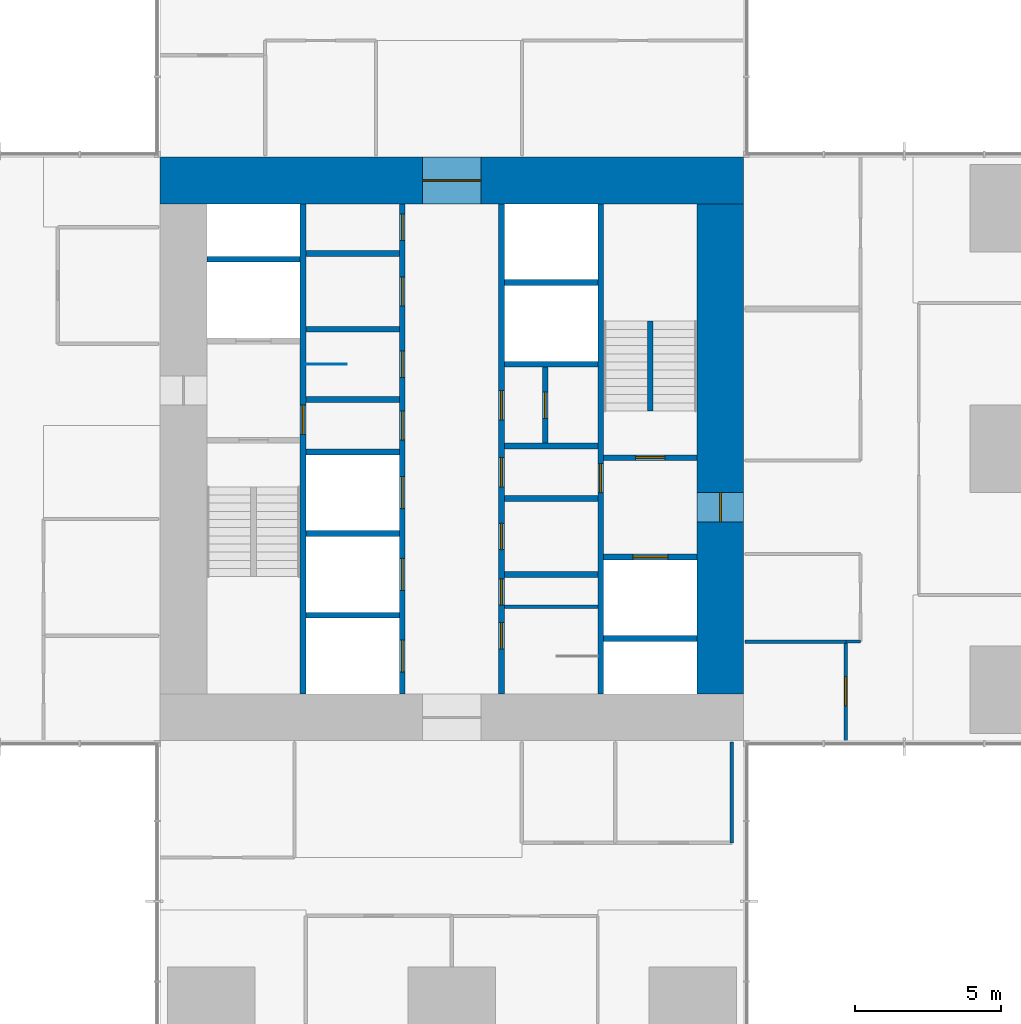
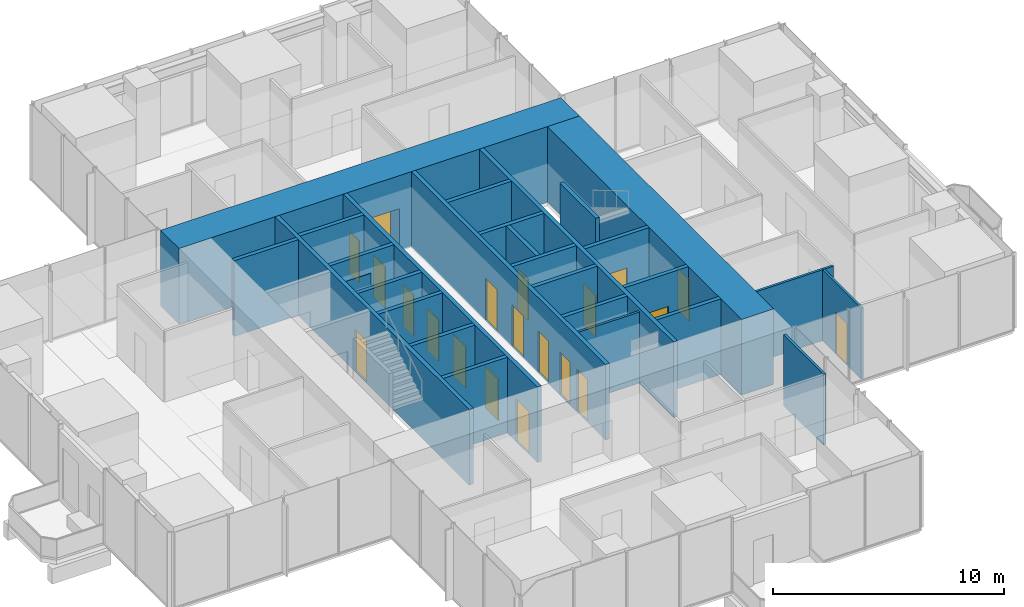
# One storey, part 9 of 13: 29 walls, 20 doors, 20 openings.
"""IFC4 building model written with IfcOpenShell, lengths in metres."""

import ifcopenshell
import ifcopenshell.guid

model = None  # the IFC model being written
_history = None  # IfcOwnerHistory: only IFC2X3 demands one
_inside = {}  # id of a spatial element -> (the spatial element, [elements in it])
_under = {}  # id of a project, library or spatial element -> (it, [spatial elements below it])
_declared = {}  # id of a project -> (the project, [libraries it declares])
_typed = {}  # id of a type object -> (the type object, [elements of that type])
_made_of = {}  # id of a material, layer set ... -> (it, [elements and type objects made of it])


def new_model(schema):
    """Start an empty IFC model of exactly this schema.

    Asked for "IFC4X3", IfcOpenShell would pick the latest addendum, in which some entities
    have other attributes; the version numbers below select the first issue.
    IFC2X3 requires an IfcOwnerHistory on every rooted entity: one is made here for all.
    """
    global model, _history
    if schema == "IFC4X3":
        model = ifcopenshell.file(schema_version=(4, 3, 0, 0))
    else:
        model = ifcopenshell.file(schema=schema)
    _inside.clear()
    _under.clear()
    _declared.clear()
    _typed.clear()
    _made_of.clear()
    _history = None
    if model.schema == "IFC2X3":
        org = make("IfcOrganization", Name="unknown")
        user = make(
            "IfcPersonAndOrganization",
            ThePerson=make("IfcPerson", FamilyName="unknown"),
            TheOrganization=org,
        )
        app = make(
            "IfcApplication",
            ApplicationDeveloper=org,
            Version="unknown",
            ApplicationFullName="unknown",
            ApplicationIdentifier="unknown",
        )
        _history = make(
            "IfcOwnerHistory",
            OwningUser=user,
            OwningApplication=app,
            ChangeAction="ADDED",
            CreationDate=0,
        )
    return model


def make(cls, **values):
    """One entity of the class cls with the attributes given. An attribute that is None is left unset."""
    return model.create_entity(
        cls, **{name: value for name, value in values.items() if value is not None}
    )


def rooted(cls, **values):
    """An entity with a GlobalId (a new one), such as an element, a storey or a relation."""
    return make(cls, GlobalId=ifcopenshell.guid.new(), OwnerHistory=_history, **values)


def si_unit(unit_type, name, prefix=None):
    """IfcSIUnit, for example si_unit("LENGTHUNIT", "METRE", prefix="MILLI")."""
    return make("IfcSIUnit", UnitType=unit_type, Prefix=prefix, Name=name)


def assignment(units):
    """IfcUnitAssignment: the units of a project."""
    return None if units is None else make("IfcUnitAssignment", Units=units)


def point(xyz):
    """IfcCartesianPoint."""
    return None if xyz is None else make("IfcCartesianPoint", Coordinates=xyz)


def direction(xyz):
    """IfcDirection."""
    return None if xyz is None else make("IfcDirection", DirectionRatios=xyz)


def frame(location, z_axis=None, x_axis=None):
    """IfcAxis2Placement3D, a coordinate frame: its origin and axes. An axis left out is left unset."""
    return make(
        "IfcAxis2Placement3D",
        Location=point(location),
        Axis=direction(z_axis),
        RefDirection=direction(x_axis),
    )


def frame_2d(location, x_axis=None):
    """IfcAxis2Placement2D, a coordinate frame in the plane: its origin and x axis."""
    return make(
        "IfcAxis2Placement2D", Location=point(location), RefDirection=direction(x_axis)
    )


def origin():
    """The frame at (0, 0, 0) with its axes left unset."""
    return frame((0.0, 0.0, 0.0))


def place(relative_to, where):
    """IfcLocalPlacement: puts the frame where relative to a parent placement (None: the world)."""
    return make(
        "IfcLocalPlacement", PlacementRelTo=relative_to, RelativePlacement=where
    )


def context(
    kind, dimensions, precision=None, world=None, true_north=None, identifier=None
):
    """IfcGeometricRepresentationContext, for example the 3D "Model" context."""
    return make(
        "IfcGeometricRepresentationContext",
        ContextIdentifier=identifier,
        ContextType=kind,
        CoordinateSpaceDimension=dimensions,
        Precision=precision,
        WorldCoordinateSystem=world,
        TrueNorth=true_north,
    )


def subcontext(parent, identifier, kind, view, scale=None):
    """IfcGeometricRepresentationSubContext, for example "Body" below "Model"."""
    return make(
        "IfcGeometricRepresentationSubContext",
        ContextIdentifier=identifier,
        ContextType=kind,
        ParentContext=parent,
        TargetScale=scale,
        TargetView=view,
    )


def project(units=None, contexts=None):
    """IfcProject with its units and contexts."""
    return rooted(
        "IfcProject",
        Name="project",
        RepresentationContexts=contexts,
        UnitsInContext=assignment(units),
    )


def spatial(cls, under=None, at=None, **own):
    """A site, building, storey or space (cls), placed at a placement, below another one or the project."""
    s = rooted(cls, ObjectPlacement=at, **own)
    if under is not None:
        _under.setdefault(under.id(), (under, []))[1].append(s)
    return s


def profile(cls, at=None, kind="AREA", **sizes):
    """A parametric profile (cls). Its sizes go by their IFC names, for example OverallWidth=200.0."""
    return make(cls, ProfileType=kind, Position=at, **sizes)


def rectangle(**sizes):
    """IfcRectangleProfileDef."""
    return profile("IfcRectangleProfileDef", **sizes)


def extrude(swept, where, along, depth):
    """IfcExtrudedAreaSolid: the profile swept, set in the frame where, extruded along a direction by depth."""
    return make(
        "IfcExtrudedAreaSolid",
        SweptArea=swept,
        Position=where,
        ExtrudedDirection=direction(along),
        Depth=depth,
    )


def shape(context_of_items, identifier, shape_type, items):
    """IfcShapeRepresentation: the items that make up one representation, for example the "Body"."""
    return make(
        "IfcShapeRepresentation",
        ContextOfItems=context_of_items,
        RepresentationIdentifier=identifier,
        RepresentationType=shape_type,
        Items=items,
    )


def material(Name=None, Category=None):
    """IfcMaterial."""
    return make("IfcMaterial", Name=Name, Category=Category)


def layer(
    of_material, thickness, ventilated=None, Name=None, Category=None, Priority=None
):
    """IfcMaterialLayer: one layer of a wall or slab, of a material (None: an air gap)."""
    return make(
        "IfcMaterialLayer",
        Material=of_material,
        LayerThickness=thickness,
        IsVentilated=ventilated,
        Name=Name,
        Category=Category,
        Priority=Priority,
    )


def layer_set(layers, Name=None):
    """IfcMaterialLayerSet."""
    return make("IfcMaterialLayerSet", MaterialLayers=layers, LayerSetName=Name)


def made_of(thing, what):
    """Note that an element or type object is made of a material, layer set ...; save() writes the relation."""
    if what is not None:
        _made_of.setdefault(what.id(), (what, []))[1].append(thing)
    return thing


def type_object(cls, material=None, **own):
    """A type object (cls), such as IfcWallType, which elements share."""
    return made_of(rooted(cls, **own), material)


def element(
    cls,
    number,
    at=None,
    inside=None,
    cuts=None,
    type_object=None,
    material=None,
    context=None,
    identifier="Body",
    shape_type=None,
    held_by="IfcProductDefinitionShape",
    body=None,
    shapes=None,
    **own,
):
    """One element of the class cls, such as IfcWall. Its Tag is "e" and its number.

    at: its placement. inside: the storey or other place that contains it. cuts: it is an
    opening in that element (IfcRelVoidsElement). A single representation is given by context,
    identifier, shape_type and body (its items); several are given by shapes. held_by: the class
    of the entity that holds the representations. save() writes the other relations.
    """
    e = rooted(cls, Tag="e%d" % number, ObjectPlacement=at, **own)
    if body is not None:
        shapes = [shape(context, identifier, shape_type, body)]
    if shapes is not None:
        e.Representation = make(held_by, Representations=shapes)
    if inside is not None:
        _inside.setdefault(inside.id(), (inside, []))[1].append(e)
    if cuts is not None:
        rooted(
            "IfcRelVoidsElement", RelatingBuildingElement=cuts, RelatedOpeningElement=e
        )
    if type_object is not None:
        _typed.setdefault(type_object.id(), (type_object, []))[1].append(e)
    return made_of(e, material)


def fill(opening, filler):
    """IfcRelFillsElement: the door or window that sits in an opening."""
    return rooted(
        "IfcRelFillsElement",
        RelatingOpeningElement=opening,
        RelatedBuildingElement=filler,
    )


def aggregate(whole, parts):
    """IfcRelAggregates: a whole, such as a stair, and the parts it consists of."""
    return rooted("IfcRelAggregates", RelatingObject=whole, RelatedObjects=parts)


def save(model, path):
    """Write the relations noted so far, then the file.

    IfcRelAggregates (storeys below a building ...), IfcRelContainedInSpatialStructure (elements
    in a storey), IfcRelDefinesByType, IfcRelAssociatesMaterial and IfcRelDeclares: one each for
    every whole, place, type object, material and project.
    """
    for whole, parts in _under.values():
        aggregate(whole, parts)
    for where, things in _inside.values():
        rooted(
            "IfcRelContainedInSpatialStructure",
            RelatedElements=things,
            RelatingStructure=where,
        )
    for kind, things in _typed.values():
        rooted("IfcRelDefinesByType", RelatedObjects=things, RelatingType=kind)
    for what, things in _made_of.values():
        rooted("IfcRelAssociatesMaterial", RelatedObjects=things, RelatingMaterial=what)
    for by, libraries in _declared.values():
        rooted("IfcRelDeclares", RelatingContext=by, RelatedDefinitions=libraries)
    model.write(path)


model = new_model("IFC4")

# Units and contexts
model_context = context("Model", 3, precision=1e-05, world=origin(), true_north=direction((0.0, 1.0)))
body_context = subcontext(model_context, "Body", "Model", "MODEL_VIEW")
ifc_project = project(units=[si_unit("LENGTHUNIT", "METRE"), si_unit("AREAUNIT", "SQUARE_METRE"), si_unit("VOLUMEUNIT", "CUBIC_METRE"), si_unit("PLANEANGLEUNIT", "RADIAN"), si_unit("MASSUNIT", "GRAM", prefix="KILO")], contexts=[model_context])

# Site, building, storey
site_placement = place(None, origin())
site = spatial("IfcSite", under=ifc_project, at=site_placement, CompositionType="ELEMENT")
building_placement = place(site_placement, origin())
building = spatial("IfcBuilding", under=site, at=building_placement, Name="Svetlomir Tower", CompositionType="ELEMENT")
storey_placement = place(building_placement, frame((0.0, 0.0, 120.5)))
storey = spatial("IfcBuildingStorey", under=building, at=storey_placement, Name="L28", CompositionType="ELEMENT", Elevation=120.5)

# Wall, opening, door
ifc_material_1 = material(Name="Concrete C60/75", Category="concrete")
ifc_layer_1 = layer(ifc_material_1, 0.199951171875)
ifc_layer_set_1 = layer_set([ifc_layer_1], Name="Concrete C60/75")
wall_type_1 = type_object("IfcWallType", Name="CORE INNER WALL 200", PredefinedType="SHEAR", material=ifc_layer_set_1)
wall_1_placement = place(storey_placement, frame((15.89990234375, 12.60009765625, -0.050048828125), z_axis=(0.0, 0.0, 1.0), x_axis=(0.0, 1.0, 0.0)))
wall_1 = element("IfcWall", 1, at=wall_1_placement, inside=storey, type_object=wall_type_1, Name="Core inner wall 15.9 L28", PredefinedType="SHEAR", context=body_context, shape_type="SweptSolid", body=[
    extrude(rectangle(XDim=16.7998046875, YDim=0.199951171875, at=frame_2d((8.39990234375, 0.0))), origin(), (0.0, 0.0, 1.0), 4.0),
])
opening_1_placement = place(wall_1_placement, frame((8.89990234375, 0.0, 0.050048828125)))
opening_1 = element("IfcOpeningElement", 2, at=opening_1_placement, cuts=wall_1, Name="Opening DF", PredefinedType="OPENING", context=body_context, shape_type="SweptSolid", body=[
    extrude(rectangle(XDim=1.0, YDim=2.199951171875, at=frame_2d((0.5, 1.10009765625))), frame((0.0, 0.10986328125, 0.0), z_axis=(0.0, -1.0, 0.0), x_axis=(1.0, 0.0, 0.0)), (0.0, 0.0, 1.0), 0.219970703125),
])
ifc_material_2 = material(Name="Steel fire door", Category="steel")
door_type_1 = type_object("IfcDoorType", Name="DOOR DF 1000x2200", OperationType="SINGLE_SWING_LEFT", PredefinedType="DOOR", material=ifc_material_2)
door_1_placement = place(opening_1_placement, origin())
door_1 = element("IfcDoor", 3, at=door_1_placement, inside=storey, type_object=door_type_1, Name="Core corridor west door L28", OperationType="SINGLE_SWING_LEFT", OverallHeight=2.199951171875, OverallWidth=1.0, PredefinedType="DOOR", context=body_context, shape_type="SweptSolid", body=[
    extrude(rectangle(XDim=1.0, YDim=2.199951171875, at=frame_2d((0.5, 1.10009765625))), frame((0.0, 0.02490234375, 0.0), z_axis=(0.0, -1.0, 0.0), x_axis=(1.0, 0.0, 0.0)), (0.0, 0.0, 1.0), 0.050048828125),
])
fill(opening_1, door_1)

# Wall, openings, doors
wall_2_placement = place(storey_placement, frame((19.300048828125, 12.60009765625, -0.050048828125), z_axis=(0.0, 0.0, 1.0), x_axis=(0.0, 1.0, 0.0)))
wall_2 = element("IfcWall", 4, at=wall_2_placement, inside=storey, type_object=wall_type_1, Name="Core inner wall 19.3 L28", PredefinedType="SHEAR", context=body_context, shape_type="SweptSolid", body=[
    extrude(rectangle(XDim=16.7998046875, YDim=0.199951171875, at=frame_2d((8.39990234375, 0.0))), origin(), (0.0, 0.0, 1.0), 4.0),
])
opening_2_placement = place(wall_2_placement, frame((8.699951171875, 0.0, 0.050048828125)))
opening_2 = element("IfcOpeningElement", 5, at=opening_2_placement, cuts=wall_2, Name="Opening DC", PredefinedType="OPENING", context=body_context, shape_type="SweptSolid", body=[
    extrude(rectangle(XDim=1.0, YDim=2.199951171875, at=frame_2d((0.5, 1.10009765625))), frame((0.0, 0.10986328125, 0.0), z_axis=(0.0, -1.0, 0.0), x_axis=(1.0, 0.0, 0.0)), (0.0, 0.0, 1.0), 0.219970703125),
])
opening_3_placement = place(wall_2_placement, frame((10.85009765625, 0.0, 0.050048828125)))
opening_3 = element("IfcOpeningElement", 6, at=opening_3_placement, cuts=wall_2, Name="Opening DW", PredefinedType="OPENING", context=body_context, shape_type="SweptSolid", body=[
    extrude(rectangle(XDim=0.89990234375, YDim=2.199951171875, at=frame_2d((0.449951171875, 1.10009765625))), frame((0.0, 0.10986328125, 0.0), z_axis=(0.0, -1.0, 0.0), x_axis=(1.0, 0.0, 0.0)), (0.0, 0.0, 1.0), 0.219970703125),
])
opening_4_placement = place(wall_2_placement, frame((13.300048828125, 0.0, 0.050048828125)))
opening_4 = element("IfcOpeningElement", 7, at=opening_4_placement, cuts=wall_2, Name="Opening DC", PredefinedType="OPENING", context=body_context, shape_type="SweptSolid", body=[
    extrude(rectangle(XDim=1.0, YDim=2.199951171875, at=frame_2d((0.5, 1.10009765625))), frame((0.0, 0.10986328125, 0.0), z_axis=(0.0, -1.0, 0.0), x_axis=(1.0, 0.0, 0.0)), (0.0, 0.0, 1.0), 0.219970703125),
])
opening_5_placement = place(wall_2_placement, frame((15.550048828125, 0.0, 0.050048828125)))
opening_5 = element("IfcOpeningElement", 8, at=opening_5_placement, cuts=wall_2, Name="Opening DW", PredefinedType="OPENING", context=body_context, shape_type="SweptSolid", body=[
    extrude(rectangle(XDim=0.89990234375, YDim=2.199951171875, at=frame_2d((0.449951171875, 1.10009765625))), frame((0.0, 0.10986328125, 0.0), z_axis=(0.0, -1.0, 0.0), x_axis=(1.0, 0.0, 0.0)), (0.0, 0.0, 1.0), 0.219970703125),
])
opening_6_placement = place(wall_2_placement, frame((0.75, 0.0, 0.050048828125)))
opening_6 = element("IfcOpeningElement", 9, at=opening_6_placement, cuts=wall_2, Name="Opening LD", PredefinedType="OPENING", context=body_context, shape_type="SweptSolid", body=[
    extrude(rectangle(XDim=1.10009765625, YDim=2.199951171875, at=frame_2d((0.550048828125, 1.10009765625))), frame((0.0, 0.10986328125, 0.0), z_axis=(0.0, -1.0, 0.0), x_axis=(1.0, 0.0, 0.0)), (0.0, 0.0, 1.0), 0.219970703125),
])
opening_7_placement = place(wall_2_placement, frame((3.550048828125, 0.0, 0.050048828125)))
opening_7 = element("IfcOpeningElement", 10, at=opening_7_placement, cuts=wall_2, Name="Opening LD", PredefinedType="OPENING", context=body_context, shape_type="SweptSolid", body=[
    extrude(rectangle(XDim=1.10009765625, YDim=2.199951171875, at=frame_2d((0.550048828125, 1.10009765625))), frame((0.0, 0.10986328125, 0.0), z_axis=(0.0, -1.0, 0.0), x_axis=(1.0, 0.0, 0.0)), (0.0, 0.0, 1.0), 0.219970703125),
])
opening_8_placement = place(wall_2_placement, frame((6.35009765625, 0.0, 0.050048828125)))
opening_8 = element("IfcOpeningElement", 11, at=opening_8_placement, cuts=wall_2, Name="Opening LD", PredefinedType="OPENING", context=body_context, shape_type="SweptSolid", body=[
    extrude(rectangle(XDim=1.10009765625, YDim=2.199951171875, at=frame_2d((0.550048828125, 1.10009765625))), frame((0.0, 0.10986328125, 0.0), z_axis=(0.0, -1.0, 0.0), x_axis=(1.0, 0.0, 0.0)), (0.0, 0.0, 1.0), 0.219970703125),
])
ifc_material_3 = material(Name="Timber fire door", Category="wood")
door_type_2 = type_object("IfcDoorType", Name="DOOR DC 1000x2200", OperationType="SINGLE_SWING_LEFT", PredefinedType="DOOR", material=ifc_material_3)
door_2_placement = place(opening_2_placement, origin())
door_2 = element("IfcDoor", 12, at=door_2_placement, inside=storey, type_object=door_type_2, Name="Core corridor west lobby door L28", OperationType="SINGLE_SWING_RIGHT", OverallHeight=2.199951171875, OverallWidth=1.0, PredefinedType="DOOR", context=body_context, shape_type="SweptSolid", body=[
    extrude(rectangle(XDim=1.0, YDim=2.199951171875, at=frame_2d((0.5, 1.10009765625))), frame((0.0, 0.02490234375, 0.0), z_axis=(0.0, -1.0, 0.0), x_axis=(1.0, 0.0, 0.0)), (0.0, 0.0, 1.0), 0.050048828125),
])
fill(opening_2, door_2)
door_3_placement = place(opening_4_placement, origin())
door_3 = element("IfcDoor", 13, at=door_3_placement, inside=storey, type_object=door_type_2, Name="Accessible WC door L28", OperationType="SINGLE_SWING_LEFT", OverallHeight=2.199951171875, OverallWidth=1.0, PredefinedType="DOOR", context=body_context, shape_type="SweptSolid", body=[
    extrude(rectangle(XDim=1.0, YDim=2.199951171875, at=frame_2d((0.5, 1.10009765625))), frame((0.0, 0.02490234375, 0.0), z_axis=(0.0, -1.0, 0.0), x_axis=(1.0, 0.0, 0.0)), (0.0, 0.0, 1.0), 0.050048828125),
])
fill(opening_4, door_3)
ifc_material_4 = material(Name="Timber fire door", Category="wood")
door_type_3 = type_object("IfcDoorType", Name="DOOR DW 900x2200", OperationType="SINGLE_SWING_LEFT", PredefinedType="DOOR", material=ifc_material_4)
door_4_placement = place(opening_3_placement, origin())
door_4 = element("IfcDoor", 14, at=door_4_placement, inside=storey, type_object=door_type_3, Name="Female WC door L28", OperationType="SINGLE_SWING_RIGHT", OverallHeight=2.199951171875, OverallWidth=0.89990234375, PredefinedType="DOOR", context=body_context, shape_type="SweptSolid", body=[
    extrude(rectangle(XDim=0.89990234375, YDim=2.199951171875, at=frame_2d((0.449951171875, 1.10009765625))), frame((0.0, 0.02490234375, 0.0), z_axis=(0.0, -1.0, 0.0), x_axis=(1.0, 0.0, 0.0)), (0.0, 0.0, 1.0), 0.050048828125),
])
fill(opening_3, door_4)
door_5_placement = place(opening_5_placement, origin())
door_5 = element("IfcDoor", 15, at=door_5_placement, inside=storey, type_object=door_type_3, Name="Cleaner's store door L28", OperationType="SINGLE_SWING_RIGHT", OverallHeight=2.199951171875, OverallWidth=0.89990234375, PredefinedType="DOOR", context=body_context, shape_type="SweptSolid", body=[
    extrude(rectangle(XDim=0.89990234375, YDim=2.199951171875, at=frame_2d((0.449951171875, 1.10009765625))), frame((0.0, 0.02490234375, 0.0), z_axis=(0.0, -1.0, 0.0), x_axis=(1.0, 0.0, 0.0)), (0.0, 0.0, 1.0), 0.050048828125),
])
fill(opening_5, door_5)
ifc_material_5 = material(Name="Stainless steel landing door", Category="steel")
door_type_4 = type_object("IfcDoorType", Name="LIFT LANDING DOOR LD 1100x2200", OperationType="DOUBLE_DOOR_SLIDING", PredefinedType="DOOR", material=ifc_material_5)
door_6_placement = place(opening_6_placement, origin())
door_6 = element("IfcDoor", 16, at=door_6_placement, inside=storey, type_object=door_type_4, Name="Landing door lift LB1 L28", OperationType="DOUBLE_DOOR_SLIDING", OverallHeight=2.199951171875, OverallWidth=1.10009765625, PredefinedType="DOOR", context=body_context, shape_type="SweptSolid", body=[
    extrude(rectangle(XDim=1.10009765625, YDim=2.199951171875, at=frame_2d((0.550048828125, 1.10009765625))), frame((0.0, 0.02490234375, 0.0), z_axis=(0.0, -1.0, 0.0), x_axis=(1.0, 0.0, 0.0)), (0.0, 0.0, 1.0), 0.050048828125),
])
fill(opening_6, door_6)
door_7_placement = place(opening_7_placement, origin())
door_7 = element("IfcDoor", 17, at=door_7_placement, inside=storey, type_object=door_type_4, Name="Landing door lift LB2 L28", OperationType="DOUBLE_DOOR_SLIDING", OverallHeight=2.199951171875, OverallWidth=1.10009765625, PredefinedType="DOOR", context=body_context, shape_type="SweptSolid", body=[
    extrude(rectangle(XDim=1.10009765625, YDim=2.199951171875, at=frame_2d((0.550048828125, 1.10009765625))), frame((0.0, 0.02490234375, 0.0), z_axis=(0.0, -1.0, 0.0), x_axis=(1.0, 0.0, 0.0)), (0.0, 0.0, 1.0), 0.050048828125),
])
fill(opening_7, door_7)
door_8_placement = place(opening_8_placement, origin())
door_8 = element("IfcDoor", 18, at=door_8_placement, inside=storey, type_object=door_type_4, Name="Landing door lift LB3 L28", OperationType="DOUBLE_DOOR_SLIDING", OverallHeight=2.199951171875, OverallWidth=1.10009765625, PredefinedType="DOOR", context=body_context, shape_type="SweptSolid", body=[
    extrude(rectangle(XDim=1.10009765625, YDim=2.199951171875, at=frame_2d((0.550048828125, 1.10009765625))), frame((0.0, 0.02490234375, 0.0), z_axis=(0.0, -1.0, 0.0), x_axis=(1.0, 0.0, 0.0)), (0.0, 0.0, 1.0), 0.050048828125),
])
fill(opening_8, door_8)

wall_3_placement = place(storey_placement, frame((22.699951171875, 12.60009765625, -0.050048828125), z_axis=(0.0, 0.0, 1.0), x_axis=(0.0, 1.0, 0.0)))
wall_3 = element("IfcWall", 19, at=wall_3_placement, inside=storey, type_object=wall_type_1, Name="Core inner wall 22.7 L28", PredefinedType="SHEAR", context=body_context, shape_type="SweptSolid", body=[
    extrude(rectangle(XDim=16.7998046875, YDim=0.199951171875, at=frame_2d((8.39990234375, 0.0))), origin(), (0.0, 0.0, 1.0), 4.0),
])
opening_9_placement = place(wall_3_placement, frame((3.050048828125, 0.0, 0.050048828125)))
opening_9 = element("IfcOpeningElement", 20, at=opening_9_placement, cuts=wall_3, Name="Opening DW", PredefinedType="OPENING", context=body_context, shape_type="SweptSolid", body=[
    extrude(rectangle(XDim=0.89990234375, YDim=2.199951171875, at=frame_2d((0.449951171875, 1.10009765625))), frame((0.0, 0.10986328125, 0.0), z_axis=(0.0, -1.0, 0.0), x_axis=(1.0, 0.0, 0.0)), (0.0, 0.0, 1.0), 0.219970703125),
])
opening_10_placement = place(wall_3_placement, frame((7.10009765625, 0.0, 0.050048828125)))
opening_10 = element("IfcOpeningElement", 21, at=opening_10_placement, cuts=wall_3, Name="Opening DC", PredefinedType="OPENING", context=body_context, shape_type="SweptSolid", body=[
    extrude(rectangle(XDim=1.0, YDim=2.199951171875, at=frame_2d((0.5, 1.10009765625))), frame((0.0, 0.10986328125, 0.0), z_axis=(0.0, -1.0, 0.0), x_axis=(1.0, 0.0, 0.0)), (0.0, 0.0, 1.0), 0.219970703125),
])
opening_11_placement = place(wall_3_placement, frame((1.550048828125, 0.0, 0.050048828125)))
opening_11 = element("IfcOpeningElement", 22, at=opening_11_placement, cuts=wall_3, Name="Opening DW", PredefinedType="OPENING", context=body_context, shape_type="SweptSolid", body=[
    extrude(rectangle(XDim=0.89990234375, YDim=2.199951171875, at=frame_2d((0.449951171875, 1.10009765625))), frame((0.0, 0.10986328125, 0.0), z_axis=(0.0, -1.0, 0.0), x_axis=(1.0, 0.0, 0.0)), (0.0, 0.0, 1.0), 0.219970703125),
])
opening_12_placement = place(wall_3_placement, frame((4.949951171875, 0.0, 0.050048828125)))
opening_12 = element("IfcOpeningElement", 23, at=opening_12_placement, cuts=wall_3, Name="Opening DW", PredefinedType="OPENING", context=body_context, shape_type="SweptSolid", body=[
    extrude(rectangle(XDim=0.89990234375, YDim=2.199951171875, at=frame_2d((0.449951171875, 1.10009765625))), frame((0.0, 0.10986328125, 0.0), z_axis=(0.0, -1.0, 0.0), x_axis=(1.0, 0.0, 0.0)), (0.0, 0.0, 1.0), 0.219970703125),
])
opening_13_placement = place(wall_3_placement, frame((9.39990234375, 0.0, 0.050048828125)))
opening_13 = element("IfcOpeningElement", 24, at=opening_13_placement, cuts=wall_3, Name="Opening DC", PredefinedType="OPENING", context=body_context, shape_type="SweptSolid", body=[
    extrude(rectangle(XDim=1.0, YDim=2.199951171875, at=frame_2d((0.5, 1.10009765625))), frame((0.0, 0.10986328125, 0.0), z_axis=(0.0, -1.0, 0.0), x_axis=(1.0, 0.0, 0.0)), (0.0, 0.0, 1.0), 0.219970703125),
])
door_9_placement = place(opening_10_placement, origin())
door_9 = element("IfcDoor", 25, at=door_9_placement, inside=storey, type_object=door_type_2, Name="Core corridor east lobby door L28", OperationType="SINGLE_SWING_LEFT", OverallHeight=2.199951171875, OverallWidth=1.0, PredefinedType="DOOR", context=body_context, shape_type="SweptSolid", body=[
    extrude(rectangle(XDim=1.0, YDim=2.199951171875, at=frame_2d((0.5, 1.10009765625))), frame((0.0, 0.02490234375, 0.0), z_axis=(0.0, -1.0, 0.0), x_axis=(1.0, 0.0, 0.0)), (0.0, 0.0, 1.0), 0.050048828125),
])
fill(opening_10, door_9)
door_10_placement = place(opening_13_placement, origin())
door_10 = element("IfcDoor", 26, at=door_10_placement, inside=storey, type_object=door_type_2, Name="Converted shaft BANK-E1 room door L28", OperationType="SINGLE_SWING_LEFT", OverallHeight=2.199951171875, OverallWidth=1.0, PredefinedType="DOOR", context=body_context, shape_type="SweptSolid", body=[
    extrude(rectangle(XDim=1.0, YDim=2.199951171875, at=frame_2d((0.5, 1.10009765625))), frame((0.0, 0.02490234375, 0.0), z_axis=(0.0, -1.0, 0.0), x_axis=(1.0, 0.0, 0.0)), (0.0, 0.0, 1.0), 0.050048828125),
])
fill(opening_13, door_10)
door_11_placement = place(opening_9_placement, origin())
door_11 = element("IfcDoor", 27, at=door_11_placement, inside=storey, type_object=door_type_3, Name="Shower and changing room door L28", OperationType="SINGLE_SWING_LEFT", OverallHeight=2.199951171875, OverallWidth=0.89990234375, PredefinedType="DOOR", context=body_context, shape_type="SweptSolid", body=[
    extrude(rectangle(XDim=0.89990234375, YDim=2.199951171875, at=frame_2d((0.449951171875, 1.10009765625))), frame((0.0, 0.02490234375, 0.0), z_axis=(0.0, -1.0, 0.0), x_axis=(1.0, 0.0, 0.0)), (0.0, 0.0, 1.0), 0.050048828125),
])
fill(opening_9, door_11)
door_12_placement = place(opening_11_placement, origin())
door_12 = element("IfcDoor", 28, at=door_12_placement, inside=storey, type_object=door_type_3, Name="Male WC door L28", OperationType="SINGLE_SWING_RIGHT", OverallHeight=2.199951171875, OverallWidth=0.89990234375, PredefinedType="DOOR", context=body_context, shape_type="SweptSolid", body=[
    extrude(rectangle(XDim=0.89990234375, YDim=2.199951171875, at=frame_2d((0.449951171875, 1.10009765625))), frame((0.0, 0.02490234375, 0.0), z_axis=(0.0, -1.0, 0.0), x_axis=(1.0, 0.0, 0.0)), (0.0, 0.0, 1.0), 0.050048828125),
])
fill(opening_11, door_12)
door_13_placement = place(opening_12_placement, origin())
door_13 = element("IfcDoor", 29, at=door_13_placement, inside=storey, type_object=door_type_3, Name="Comms room door L28", OperationType="SINGLE_SWING_RIGHT", OverallHeight=2.199951171875, OverallWidth=0.89990234375, PredefinedType="DOOR", context=body_context, shape_type="SweptSolid", body=[
    extrude(rectangle(XDim=0.89990234375, YDim=2.199951171875, at=frame_2d((0.449951171875, 1.10009765625))), frame((0.0, 0.02490234375, 0.0), z_axis=(0.0, -1.0, 0.0), x_axis=(1.0, 0.0, 0.0)), (0.0, 0.0, 1.0), 0.050048828125),
])
fill(opening_12, door_13)

# Wall, opening, door
wall_4_placement = place(storey_placement, frame((26.10009765625, 12.60009765625, -0.050048828125), z_axis=(0.0, 0.0, 1.0), x_axis=(0.0, 1.0, 0.0)))
wall_4 = element("IfcWall", 30, at=wall_4_placement, inside=storey, type_object=wall_type_1, Name="Core inner wall 26.1 L28", PredefinedType="SHEAR", context=body_context, shape_type="SweptSolid", body=[
    extrude(rectangle(XDim=16.7998046875, YDim=0.199951171875, at=frame_2d((8.39990234375, 0.0))), origin(), (0.0, 0.0, 1.0), 4.0),
])
opening_14_placement = place(wall_4_placement, frame((6.89990234375, 0.0, 0.050048828125)))
opening_14 = element("IfcOpeningElement", 31, at=opening_14_placement, cuts=wall_4, Name="Opening DF", PredefinedType="OPENING", context=body_context, shape_type="SweptSolid", body=[
    extrude(rectangle(XDim=1.0, YDim=2.199951171875, at=frame_2d((0.5, 1.10009765625))), frame((0.0, 0.10986328125, 0.0), z_axis=(0.0, -1.0, 0.0), x_axis=(1.0, 0.0, 0.0)), (0.0, 0.0, 1.0), 0.219970703125),
])
door_14_placement = place(opening_14_placement, origin())
door_14 = element("IfcDoor", 32, at=door_14_placement, inside=storey, type_object=door_type_1, Name="Core corridor east door L28", OperationType="SINGLE_SWING_LEFT", OverallHeight=2.199951171875, OverallWidth=1.0, PredefinedType="DOOR", context=body_context, shape_type="SweptSolid", body=[
    extrude(rectangle(XDim=1.0, YDim=2.199951171875, at=frame_2d((0.5, 1.10009765625))), frame((0.0, 0.02490234375, 0.0), z_axis=(0.0, -1.0, 0.0), x_axis=(1.0, 0.0, 0.0)), (0.0, 0.0, 1.0), 0.050048828125),
])
fill(opening_14, door_14)

# Walls
for number, where, z_axis, x_axis, name in (
    (33, (12.60009765625, 27.5, -0.050048828125), (0.0, 0.0, 1.0), (1.0, 0.0, 0.0), "Core inner wall 12.6-15.8/27.5 L28"),
    (34, (16.0, 15.300048828125, -0.050048828125), (0.0, 0.0, 1.0), (1.0, 0.0, 0.0), "Core inner wall 16-19.2/15.3 L28"),
    (35, (16.0, 18.10009765625, -0.050048828125), (0.0, 0.0, 1.0), (1.0, 0.0, 0.0), "Core inner wall 16-19.2/18.1 L28"),
    (36, (16.0, 20.89990234375, -0.050048828125), (0.0, 0.0, 1.0), (1.0, 0.0, 0.0), "Core inner wall 16-19.2/20.9 L28"),
    (37, (16.0, 22.699951171875, -0.050048828125), (0.0, 0.0, 1.0), (1.0, 0.0, 0.0), "Core inner wall 16-19.2/22.7 L28"),
    (38, (16.0, 25.10009765625, -0.050048828125), (0.0, 0.0, 1.0), (1.0, 0.0, 0.0), "Core inner wall 16-19.2/25.1 L28"),
    (39, (16.0, 27.699951171875, -0.050048828125), (0.0, 0.0, 1.0), (1.0, 0.0, 0.0), "Core inner wall 16-19.2/27.7 L28"),
    (40, (22.800048828125, 16.699951171875, -0.050048828125), (0.0, 0.0, 1.0), (1.0, 0.0, 0.0), "Core inner wall 22.8-26/16.7 L28"),
    (41, (22.800048828125, 19.300048828125, -0.050048828125), (0.0, 0.0, 1.0), (1.0, 0.0, 0.0), "Core inner wall 22.8-26/19.3 L28"),
    (42, (22.800048828125, 21.10009765625, -0.050048828125), (0.0, 0.0, 1.0), (1.0, 0.0, 0.0), "Core inner wall 22.8-26/21.1 L28"),
    (43, (22.800048828125, 23.89990234375, -0.050048828125), (0.0, 0.0, 1.0), (1.0, 0.0, 0.0), "Core inner wall 22.8-26/23.9 L28"),
    (44, (22.800048828125, 26.699951171875, -0.050048828125), (0.0, 0.0, 1.0), (1.0, 0.0, 0.0), "Core inner wall 22.8-26/26.7 L28"),
    (45, (26.199951171875, 14.5, -0.050048828125), (0.0, 0.0, 1.0), (1.0, 0.0, 0.0), "Core inner wall 26.2-29.4/14.5 L28"),
):
    element("IfcWall", number, at=place(storey_placement, frame(where, z_axis=z_axis, x_axis=x_axis)), inside=storey, type_object=wall_type_1, Name=name, PredefinedType="SHEAR", context=body_context, shape_type="SweptSolid", body=[
        extrude(rectangle(XDim=3.199951171875, YDim=0.199951171875, at=frame_2d((1.60009765625, 0.0))), origin(), (0.0, 0.0, 1.0), 4.0),
    ])

# Wall, opening, door
wall_5_placement = place(storey_placement, frame((26.199951171875, 17.300048828125, -0.050048828125), z_axis=(0.0, 0.0, 1.0), x_axis=(1.0, 0.0, 0.0)))
wall_5 = element("IfcWall", 46, at=wall_5_placement, inside=storey, type_object=wall_type_1, Name="Core inner wall 26.2-29.4/17.3 L28", PredefinedType="SHEAR", context=body_context, shape_type="SweptSolid", body=[
    extrude(rectangle(XDim=3.199951171875, YDim=0.199951171875, at=frame_2d((1.60009765625, 0.0))), origin(), (0.0, 0.0, 1.0), 4.0),
])
opening_15_placement = place(wall_5_placement, frame((1.0, 0.0, 0.050048828125)))
opening_15 = element("IfcOpeningElement", 47, at=opening_15_placement, cuts=wall_5, Name="Opening LD3", PredefinedType="OPENING", context=body_context, shape_type="SweptSolid", body=[
    extrude(rectangle(XDim=1.199951171875, YDim=2.199951171875, at=frame_2d((0.60009765625, 1.10009765625))), frame((0.0, 0.10986328125, 0.0), z_axis=(0.0, -1.0, 0.0), x_axis=(1.0, 0.0, 0.0)), (0.0, 0.0, 1.0), 0.219970703125),
])
ifc_material_6 = material(Name="Stainless steel fire-rated landing door", Category="steel")
door_type_5 = type_object("IfcDoorType", Name="FIREFIGHTING LIFT LANDING DOOR LD3 1200x2200", OperationType="DOUBLE_DOOR_SLIDING", PredefinedType="DOOR", material=ifc_material_6)
door_15_placement = place(opening_15_placement, origin())
door_15 = element("IfcDoor", 48, at=door_15_placement, inside=storey, type_object=door_type_5, Name="Landing door lift FL2 L28", OperationType="DOUBLE_DOOR_SLIDING", OverallHeight=2.199951171875, OverallWidth=1.199951171875, PredefinedType="DOOR", context=body_context, shape_type="SweptSolid", body=[
    extrude(rectangle(XDim=1.199951171875, YDim=2.199951171875, at=frame_2d((0.60009765625, 1.10009765625))), frame((0.0, 0.02490234375, 0.0), z_axis=(0.0, -1.0, 0.0), x_axis=(1.0, 0.0, 0.0)), (0.0, 0.0, 1.0), 0.050048828125),
])
fill(opening_15, door_15)

wall_6_placement = place(storey_placement, frame((26.199951171875, 20.699951171875, -0.050048828125), z_axis=(0.0, 0.0, 1.0), x_axis=(1.0, 0.0, 0.0)))
wall_6 = element("IfcWall", 49, at=wall_6_placement, inside=storey, type_object=wall_type_1, Name="Core inner wall 26.2-29.4/20.7 L28", PredefinedType="SHEAR", context=body_context, shape_type="SweptSolid", body=[
    extrude(rectangle(XDim=3.199951171875, YDim=0.199951171875, at=frame_2d((1.60009765625, 0.0))), origin(), (0.0, 0.0, 1.0), 4.0),
])
opening_16_placement = place(wall_6_placement, frame((1.10009765625, 0.0, 0.050048828125)))
opening_16 = element("IfcOpeningElement", 50, at=opening_16_placement, cuts=wall_6, Name="Opening DF", PredefinedType="OPENING", context=body_context, shape_type="SweptSolid", body=[
    extrude(rectangle(XDim=1.0, YDim=2.199951171875, at=frame_2d((0.5, 1.10009765625))), frame((0.0, 0.10986328125, 0.0), z_axis=(0.0, -1.0, 0.0), x_axis=(1.0, 0.0, 0.0)), (0.0, 0.0, 1.0), 0.219970703125),
])
door_16_placement = place(opening_16_placement, origin())
door_16 = element("IfcDoor", 51, at=door_16_placement, inside=storey, type_object=door_type_1, Name="Stair S2 door L28", OperationType="SINGLE_SWING_LEFT", OverallHeight=2.199951171875, OverallWidth=1.0, PredefinedType="DOOR", context=body_context, shape_type="SweptSolid", body=[
    extrude(rectangle(XDim=1.0, YDim=2.199951171875, at=frame_2d((0.5, 1.10009765625))), frame((0.0, 0.02490234375, 0.0), z_axis=(0.0, -1.0, 0.0), x_axis=(1.0, 0.0, 0.0)), (0.0, 0.0, 1.0), 0.050048828125),
])
fill(opening_16, door_16)

wall_7_placement = place(storey_placement, frame((24.199951171875, 21.199951171875, -0.050048828125), z_axis=(0.0, 0.0, 1.0), x_axis=(0.0, 1.0, 0.0)))
wall_7 = element("IfcWall", 52, at=wall_7_placement, inside=storey, type_object=wall_type_1, Name="Core inner wall 24.2/21.2-23.8 L28", PredefinedType="SHEAR", context=body_context, shape_type="SweptSolid", body=[
    extrude(rectangle(XDim=2.60009765625, YDim=0.199951171875, at=frame_2d((1.300048828125, 0.0))), origin(), (0.0, 0.0, 1.0), 4.0),
])
opening_17_placement = place(wall_7_placement, frame((0.85009765625, 0.0, 0.050048828125)))
opening_17 = element("IfcOpeningElement", 53, at=opening_17_placement, cuts=wall_7, Name="Opening DW", PredefinedType="OPENING", context=body_context, shape_type="SweptSolid", body=[
    extrude(rectangle(XDim=0.89990234375, YDim=2.199951171875, at=frame_2d((0.449951171875, 1.10009765625))), frame((0.0, 0.10986328125, 0.0), z_axis=(0.0, -1.0, 0.0), x_axis=(1.0, 0.0, 0.0)), (0.0, 0.0, 1.0), 0.219970703125),
])
door_17_placement = place(opening_17_placement, origin())
door_17 = element("IfcDoor", 54, at=door_17_placement, inside=storey, type_object=door_type_3, Name="Converted shaft BANK-E1 back room door L28", OperationType="SINGLE_SWING_RIGHT", OverallHeight=2.199951171875, OverallWidth=0.89990234375, PredefinedType="DOOR", context=body_context, shape_type="SweptSolid", body=[
    extrude(rectangle(XDim=0.89990234375, YDim=2.199951171875, at=frame_2d((0.449951171875, 1.10009765625))), frame((0.0, 0.02490234375, 0.0), z_axis=(0.0, -1.0, 0.0), x_axis=(1.0, 0.0, 0.0)), (0.0, 0.0, 1.0), 0.050048828125),
])
fill(opening_17, door_17)

ifc_material_7 = material(Name="Concrete C60/75", Category="concrete")
ifc_layer_2 = layer(ifc_material_7, 1.60009765625)
ifc_layer_set_2 = layer_set([ifc_layer_2], Name="Concrete C60/75")
wall_type_2 = type_object("IfcWallType", Name="CORE WALL 1600", PredefinedType="SHEAR", material=ifc_layer_set_2)
wall_8_placement = place(storey_placement, frame((11.0, 30.199951171875, -0.050048828125), z_axis=(0.0, 0.0, 1.0), x_axis=(1.0, 0.0, 0.0)))
wall_8 = element("IfcWall", 55, at=wall_8_placement, inside=storey, type_object=wall_type_2, Name="Core wall north L28", PredefinedType="SHEAR", context=body_context, shape_type="SweptSolid", body=[
    extrude(rectangle(XDim=20.0, YDim=1.60009765625, at=frame_2d((10.0, 0.0))), origin(), (0.0, 0.0, 1.0), 4.0),
])
opening_18_placement = place(wall_8_placement, frame((9.0, 0.0, 0.050048828125)))
opening_18 = element("IfcOpeningElement", 56, at=opening_18_placement, cuts=wall_8, Name="Opening DL", PredefinedType="OPENING", context=body_context, shape_type="SweptSolid", body=[
    extrude(rectangle(XDim=2.0, YDim=2.199951171875, at=frame_2d((1.0, 1.10009765625))), frame((0.0, 0.81005859375, 0.0), z_axis=(0.0, -1.0, 0.0), x_axis=(1.0, 0.0, 0.0)), (0.0, 0.0, 1.0), 1.6201171875),
])
ifc_material_8 = material(Name="Steel fire door", Category="steel")
door_type_6 = type_object("IfcDoorType", Name="DOOR DL 2000x2200", OperationType="DOUBLE_DOOR_SINGLE_SWING", PredefinedType="DOOR", material=ifc_material_8)
door_18_placement = place(opening_18_placement, origin())
door_18 = element("IfcDoor", 57, at=door_18_placement, inside=storey, type_object=door_type_6, Name="Lift lobby north door L28", OperationType="DOUBLE_DOOR_SINGLE_SWING", OverallHeight=2.199951171875, OverallWidth=2.0, PredefinedType="DOOR", context=body_context, shape_type="SweptSolid", body=[
    extrude(rectangle(XDim=2.0, YDim=2.199951171875, at=frame_2d((1.0, 1.10009765625))), frame((0.0, 0.02490234375, 0.0), z_axis=(0.0, -1.0, 0.0), x_axis=(1.0, 0.0, 0.0)), (0.0, 0.0, 1.0), 0.050048828125),
])
fill(opening_18, door_18)

wall_9_placement = place(storey_placement, frame((30.199951171875, 12.60009765625, -0.050048828125), z_axis=(0.0, 0.0, 1.0), x_axis=(0.0, 1.0, 0.0)))
wall_9 = element("IfcWall", 58, at=wall_9_placement, inside=storey, type_object=wall_type_2, Name="Core wall east L28", PredefinedType="SHEAR", context=body_context, shape_type="SweptSolid", body=[
    extrude(rectangle(XDim=16.7998046875, YDim=1.60009765625, at=frame_2d((8.39990234375, 0.0))), origin(), (0.0, 0.0, 1.0), 4.0),
])
opening_19_placement = place(wall_9_placement, frame((5.89990234375, 0.0, 0.050048828125)))
opening_19 = element("IfcOpeningElement", 59, at=opening_19_placement, cuts=wall_9, Name="Opening DF", PredefinedType="OPENING", context=body_context, shape_type="SweptSolid", body=[
    extrude(rectangle(XDim=1.0, YDim=2.199951171875, at=frame_2d((0.5, 1.10009765625))), frame((0.0, 0.81005859375, 0.0), z_axis=(0.0, -1.0, 0.0), x_axis=(1.0, 0.0, 0.0)), (0.0, 0.0, 1.0), 1.6201171875),
])
door_19_placement = place(opening_19_placement, origin())
door_19 = element("IfcDoor", 60, at=door_19_placement, inside=storey, type_object=door_type_1, Name="Firefighting lobby east door L28", OperationType="SINGLE_SWING_LEFT", OverallHeight=2.199951171875, OverallWidth=1.0, PredefinedType="DOOR", context=body_context, shape_type="SweptSolid", body=[
    extrude(rectangle(XDim=1.0, YDim=2.199951171875, at=frame_2d((0.5, 1.10009765625))), frame((0.0, 0.02490234375, 0.0), z_axis=(0.0, -1.0, 0.0), x_axis=(1.0, 0.0, 0.0)), (0.0, 0.0, 1.0), 0.050048828125),
])
fill(opening_19, door_19)

# Walls
ifc_material_9 = material(Name="Framed laminated glass partition", Category="glass")
ifc_layer_3 = layer(ifc_material_9, 0.10009765625)
ifc_layer_set_3 = layer_set([ifc_layer_3], Name="Framed laminated glass partition")
wall_type_3 = type_object("IfcWallType", Name="GLAZED PARTITION 100", PredefinedType="PARTITIONING", material=ifc_layer_set_3)
wall_10_placement = place(storey_placement, frame((34.5, 14.39990234375, 0.0), z_axis=(0.0, 0.0, 1.0), x_axis=(1.0, 0.0, 0.0)))
element("IfcWall", 61, at=wall_10_placement, inside=storey, type_object=wall_type_3, Name="Glazed partition L28", PredefinedType="PARTITIONING", context=body_context, shape_type="SweptSolid", body=[
    extrude(rectangle(XDim=0.5, YDim=0.10009765625, at=frame_2d((0.25, 0.0))), origin(), (0.0, 0.0, 1.0), 3.75),
])
ifc_material_10 = material(Name="Gypsum board on steel studs", Category="steel")
ifc_layer_4 = layer(ifc_material_10, 0.1201171875)
ifc_layer_set_4 = layer_set([ifc_layer_4], Name="Gypsum board on steel studs")
wall_type_4 = type_object("IfcWallType", Name="PARTITION 120", PredefinedType="PARTITIONING", material=ifc_layer_set_4)
wall_11_placement = place(storey_placement, frame((22.800048828125, 15.60009765625, 0.0), z_axis=(0.0, 0.0, 1.0), x_axis=(1.0, 0.0, 0.0)))
element("IfcWall", 62, at=wall_11_placement, inside=storey, type_object=wall_type_4, Name="Shower room partition L28", PredefinedType="PARTITIONING", context=body_context, shape_type="SweptSolid", body=[
    extrude(rectangle(XDim=3.199951171875, YDim=0.1201171875, at=frame_2d((1.60009765625, 0.0))), origin(), (0.0, 0.0, 1.0), 3.75),
])
for number, where, z_axis, x_axis, name in (
    (63, (30.60009765625, 7.5, 0.0), (0.0, 0.0, 1.0), (0.0, 1.0, 0.0), "Partition L28"),
    (64, (31.050048828125, 14.39990234375, 0.0), (0.0, 0.0, 1.0), (1.0, 0.0, 0.0), "Partition L28"),
):
    element("IfcWall", number, at=place(storey_placement, frame(where, z_axis=z_axis, x_axis=x_axis)), inside=storey, type_object=wall_type_4, Name=name, PredefinedType="PARTITIONING", context=body_context, shape_type="SweptSolid", body=[
        extrude(rectangle(XDim=3.449951171875, YDim=0.1201171875, at=frame_2d((1.72509765625, 0.0))), origin(), (0.0, 0.0, 1.0), 3.75),
    ])

# Wall, opening, door
wall_12_placement = place(storey_placement, frame((34.5, 11.0, 0.0), z_axis=(0.0, 0.0, 1.0), x_axis=(0.0, 1.0, 0.0)))
wall_12 = element("IfcWall", 65, at=wall_12_placement, inside=storey, type_object=wall_type_4, Name="Partition L28", PredefinedType="PARTITIONING", context=body_context, shape_type="SweptSolid", body=[
    extrude(rectangle(XDim=3.39990234375, YDim=0.1201171875, at=frame_2d((1.699951171875, 0.0))), origin(), (0.0, 0.0, 1.0), 3.75),
])
opening_20_placement = place(wall_12_placement, frame((1.199951171875, 0.0, 0.0)))
opening_20 = element("IfcOpeningElement", 66, at=opening_20_placement, cuts=wall_12, Name="Opening DR", PredefinedType="OPENING", context=body_context, shape_type="SweptSolid", body=[
    extrude(rectangle(XDim=1.0, YDim=2.199951171875, at=frame_2d((0.5, 1.10009765625))), frame((0.0, 0.070068359375, 0.0), z_axis=(0.0, -1.0, 0.0), x_axis=(1.0, 0.0, 0.0)), (0.0, 0.0, 1.0), 0.14013671875),
])
ifc_material_11 = material(Name="Timber door, glazed side light", Category="wood")
door_type_7 = type_object("IfcDoorType", Name="DOOR DR 1000x2200", OperationType="SINGLE_SWING_LEFT", PredefinedType="DOOR", material=ifc_material_11)
door_20_placement = place(opening_20_placement, origin())
door_20 = element("IfcDoor", 67, at=door_20_placement, inside=storey, type_object=door_type_7, Name="Secure store door L28", OperationType="SINGLE_SWING_RIGHT", OverallHeight=2.199951171875, OverallWidth=1.0, PredefinedType="DOOR", context=body_context, shape_type="SweptSolid", body=[
    extrude(rectangle(XDim=1.0, YDim=2.199951171875, at=frame_2d((0.5, 1.10009765625))), frame((0.0, 0.02490234375, 0.0), z_axis=(0.0, -1.0, 0.0), x_axis=(1.0, 0.0, 0.0)), (0.0, 0.0, 1.0), 0.050048828125),
])
fill(opening_20, door_20)

# Walls
ifc_material_12 = material(Name="Concrete C60/75", Category="concrete")
ifc_layer_5 = layer(ifc_material_12, 0.199951171875)
ifc_layer_set_5 = layer_set([ifc_layer_5], Name="Concrete C60/75")
wall_type_5 = type_object("IfcWallType", Name="STAIR SPINE WALL 200", PredefinedType="PARTITIONING", material=ifc_layer_set_5)
wall_13_placement = place(storey_placement, frame((27.800048828125, 22.300048828125, 0.0), z_axis=(0.0, 0.0, 1.0), x_axis=(0.0, 1.0, 0.0)))
element("IfcWall", 68, at=wall_13_placement, inside=storey, type_object=wall_type_5, Name="Stair S2 spine wall L28", PredefinedType="PARTITIONING", context=body_context, shape_type="SweptSolid", body=[
    extrude(rectangle(XDim=3.079833984375, YDim=0.199951171875, at=frame_2d((1.5400390625, 0.0))), origin(), (0.0, 0.0, 1.0), 4.0),
])
ifc_material_13 = material(Name="Compact laminate panel", Category="plastic")
ifc_layer_6 = layer(ifc_material_13, 0.030029296875)
ifc_layer_set_6 = layer_set([ifc_layer_6], Name="Compact laminate panel")
wall_type_6 = type_object("IfcWallType", Name="WC CUBICLE PARTITION 30", PredefinedType="PARTITIONING", material=ifc_layer_set_6)
wall_14_placement = place(storey_placement, frame((16.0, 23.89990234375, 0.0), z_axis=(0.0, 0.0, 1.0), x_axis=(1.0, 0.0, 0.0)))
element("IfcWall", 69, at=wall_14_placement, inside=storey, type_object=wall_type_6, Name="WC cubicle partition L28", PredefinedType="PARTITIONING", context=body_context, shape_type="SweptSolid", body=[
    extrude(rectangle(XDim=1.39990234375, YDim=0.030029296875, at=frame_2d((0.699951171875, 0.0))), origin(), (0.0, 0.0, 1.0), 3.75),
])

save(model, "model.ifc")
